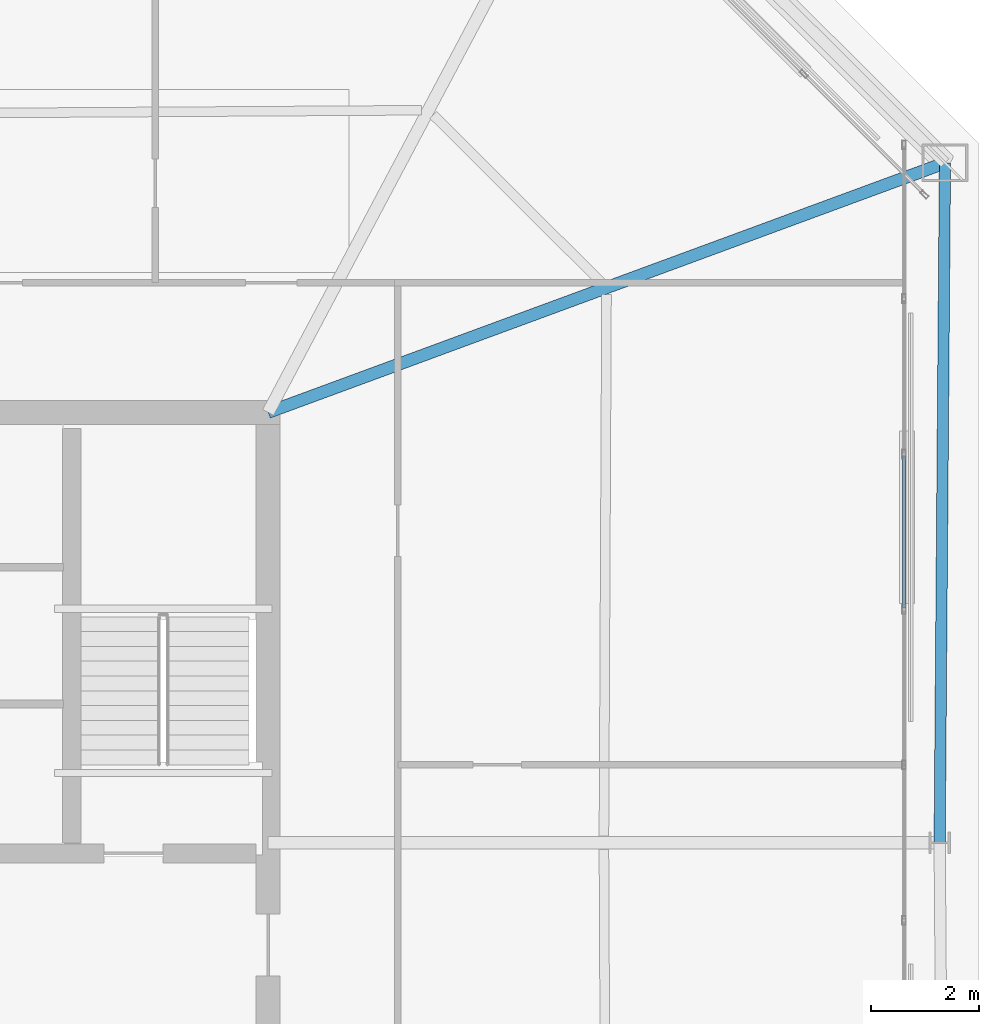
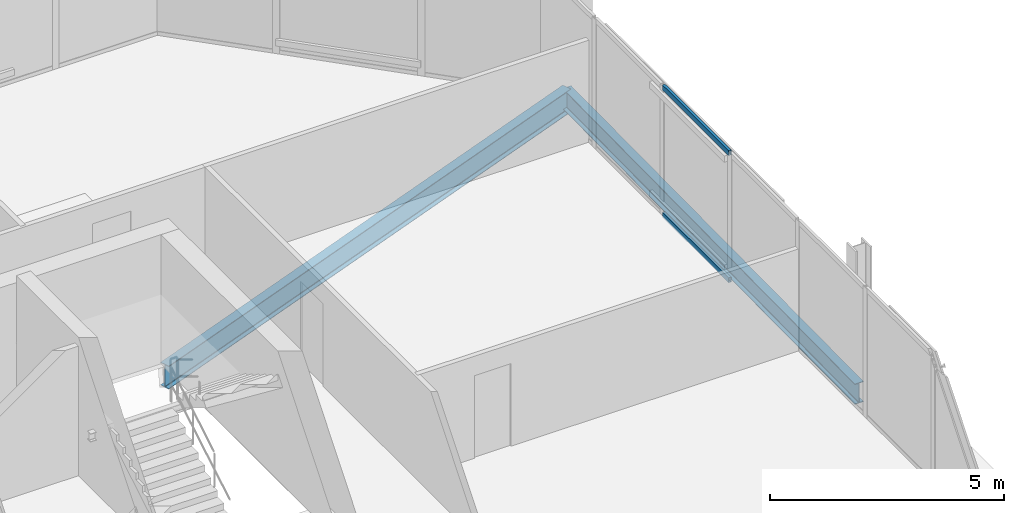
# One storey, part 24 of 39: 2 beams, 2 members, 1 element without a shape of its own.
"""IFC4 building model written with IfcOpenShell, lengths in metres."""

from ifc_helpers import new_model, si_unit, direction, frame, origin, origin_2d, place, context, subcontext, project, spatial, hollow_rectangle, i_section, extrude, material, layer, layer_set, material_profile, profile_set, type_object, element, aggregate, save


model = new_model("IFC4")

# Units and contexts
model_context = context("Model", 3, precision=1e-05, world=origin(), true_north=direction((0.0, 1.0)))
body_context = subcontext(model_context, "Body", "Model", "MODEL_VIEW")
ifc_project = project(units=[si_unit("LENGTHUNIT", "METRE"), si_unit("AREAUNIT", "SQUARE_METRE"), si_unit("VOLUMEUNIT", "CUBIC_METRE"), si_unit("PLANEANGLEUNIT", "RADIAN"), si_unit("MASSUNIT", "GRAM", prefix="KILO")], contexts=[model_context])

# Site, building, storey
site_placement = place(None, origin())
site = spatial("IfcSite", under=ifc_project, at=site_placement, CompositionType="ELEMENT")
building_placement = place(site_placement, origin())
building = spatial("IfcBuilding", under=site, at=building_placement, Name="Caelvoria Tower", CompositionType="ELEMENT")
storey_placement = place(building_placement, frame((0.0, 0.0, 198.60009765625)))
storey = spatial("IfcBuildingStorey", under=building, at=storey_placement, Name="L52", CompositionType="ELEMENT", Elevation=198.60009765625)

# Curtain wall, members
ifc_material_1 = material(Name="Anodised Bronze Aluminium and Low-E Glass", Category="aluminium")
ifc_layer = layer(ifc_material_1, 0.175048828125, Name="Anodised Bronze Aluminium and Low-E Glass")
ifc_layer_set = layer_set([ifc_layer], Name="CW System 4 High-Zone Tapered Crystal Facade - Anodised Bronze Aluminium and Low-E Glass")
curtain_wall_type = type_object("IfcCurtainWallType", Name="CW System 4 High-Zone Tapered Crystal Facade", PredefinedType="NOTDEFINED", material=ifc_layer_set)
curtain_wall_placement = place(storey_placement, origin())
curtain_wall = element("IfcCurtainWall", 1, at=curtain_wall_placement, inside=storey, type_object=curtain_wall_type, Name="CW-04 Curtain Wall L52-E2", PredefinedType="NOTDEFINED")
ifc_material_2 = material(Name="Anodised Bronze Architectural Aluminium", Category="aluminium")
ifc_material_profile_1 = material_profile(ifc_material_2, hollow_rectangle(XDim=0.06494140625, YDim=0.1298828125, WallThickness=0.00341796875, at=origin_2d()), Name="Anodised Bronze Architectural Aluminium")
ifc_profile_set_1 = profile_set([ifc_material_profile_1], Name="CW_TRAN_65X130 - Anodised Bronze Architectural Aluminium")
member_type = type_object("IfcMemberType", Name="Curtain Wall Transom 65x130 Bronze Aluminium", PredefinedType="USERDEFINED", material=ifc_profile_set_1)
member_1_placement = place(storey_placement, frame((66.820068359375, 36.36572265625, 0.032470703125), z_axis=(0.0, 1.0, 0.0), x_axis=(-1.0, 0.0, 0.0)))
member_1 = element("IfcMember", 2, at=member_1_placement, type_object=member_type, Name="CW-04 transom 7.1", ObjectType="TRANSOM", PredefinedType="USERDEFINED", context=body_context, shape_type="SweptSolid", body=[
    extrude(hollow_rectangle(XDim=0.06494140625, YDim=0.1298828125, WallThickness=0.00341796875, at=origin_2d()), origin(), (0.0, 0.0, 1.0), 2.823974609375),
])
member_2_placement = place(storey_placement, frame((66.820068359375, 36.36572265625, 3.34228515625), z_axis=(0.0, 1.0, 0.0), x_axis=(-1.0, 0.0, 0.0)))
member_2 = element("IfcMember", 3, at=member_2_placement, type_object=member_type, Name="CW-04 transom 7.2", ObjectType="TRANSOM", PredefinedType="USERDEFINED", context=body_context, shape_type="SweptSolid", body=[
    extrude(hollow_rectangle(XDim=0.06494140625, YDim=0.1298828125, WallThickness=0.00341796875, at=origin_2d()), origin(), (0.0, 0.0, 1.0), 2.823974609375),
])
aggregate(curtain_wall, [member_1, member_2])

# Beams
ifc_material_3 = material(Name="Structural Steel ASTM A992 Gr.50", Category="steel")
ifc_material_profile_2 = material_profile(ifc_material_3, i_section(OverallWidth=0.22802734375, OverallDepth=0.60302734375, WebThickness=0.010498046875, FlangeThickness=0.014892578125, FilletRadius=0.01806640625, at=origin_2d()), Name="Structural Steel ASTM A992 Gr.50")
ifc_profile_set_2 = profile_set([ifc_material_profile_2], Name="W610X101 - Structural Steel ASTM A992 Gr.50")
beam_type_1 = type_object("IfcBeamType", Name="Primary Floor Girder W610X101", PredefinedType="BEAM", material=ifc_profile_set_2)
beam_1_placement = place(storey_placement, frame((55.0, 40.0, -0.526611328125), z_axis=(0.938294602718, 0.345837011483, 0.0), x_axis=(-0.345837011483, 0.938294602718, 0.0)))
element("IfcBeam", 4, at=beam_1_placement, inside=storey, type_object=beam_type_1, Name="Primary Floor Girder L52-05", PredefinedType="BEAM", context=body_context, shape_type="SweptSolid", body=[
    extrude(i_section(OverallWidth=0.22802734375, OverallDepth=0.60302734375, WebThickness=0.010498046875, FlangeThickness=0.014892578125, FilletRadius=0.01806640625, at=origin_2d()), origin(), (0.0, 0.0, 1.0), 13.40576171875),
])
ifc_material_profile_3 = material_profile(ifc_material_3, i_section(OverallWidth=0.208984375, OverallDepth=0.532958984375, WebThickness=0.01025390625, FlangeThickness=0.015625, FilletRadius=0.01611328125, at=origin_2d()), Name="Structural Steel ASTM A992 Gr.50")
ifc_profile_set_3 = profile_set([ifc_material_profile_3], Name="W530X92 - Structural Steel ASTM A992 Gr.50")
beam_type_2 = type_object("IfcBeamType", Name="Upper Zone Spandrel W530X92", PredefinedType="BEAM", material=ifc_profile_set_3)
beam_2_placement = place(storey_placement, frame((67.47998046875, 32.0, -0.49169921875), z_axis=(0.007805318856, 0.999969538035, 0.0), x_axis=(-0.999969538035, 0.007805318856, 0.0)))
element("IfcBeam", 5, at=beam_2_placement, inside=storey, type_object=beam_type_2, Name="Perimeter Spandrel Girder L52-04", PredefinedType="BEAM", context=body_context, shape_type="SweptSolid", body=[
    extrude(i_section(OverallWidth=0.208984375, OverallDepth=0.532958984375, WebThickness=0.01025390625, FlangeThickness=0.015625, FilletRadius=0.01611328125, at=origin_2d()), origin(), (0.0, 0.0, 1.0), 12.63671875),
])

save(model, "model.ifc")
